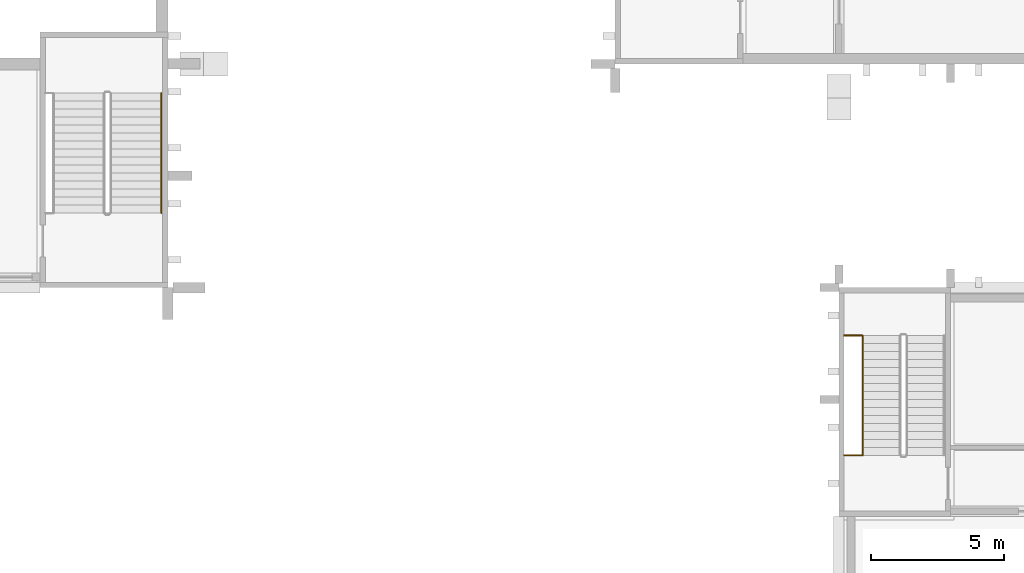
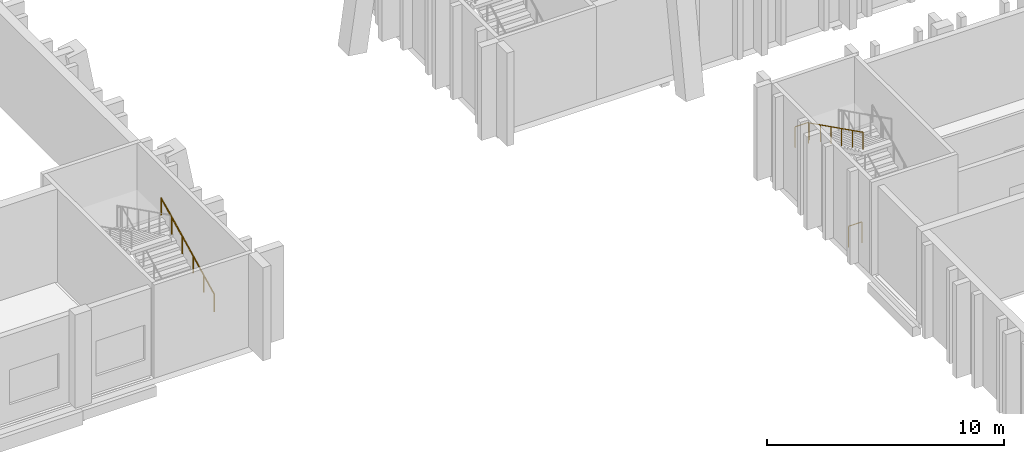
# One storey, part 78 of 91: 4 railings.
"""IFC4 building model written with IfcOpenShell, lengths in metres."""

import ifcopenshell
import ifcopenshell.guid

model = None  # the IFC model being written
_history = None  # IfcOwnerHistory: only IFC2X3 demands one
_inside = {}  # id of a spatial element -> (the spatial element, [elements in it])
_under = {}  # id of a project, library or spatial element -> (it, [spatial elements below it])
_declared = {}  # id of a project -> (the project, [libraries it declares])
_typed = {}  # id of a type object -> (the type object, [elements of that type])
_made_of = {}  # id of a material, layer set ... -> (it, [elements and type objects made of it])


def new_model(schema):
    """Start an empty IFC model of exactly this schema.

    Asked for "IFC4X3", IfcOpenShell would pick the latest addendum, in which some entities
    have other attributes; the version numbers below select the first issue.
    IFC2X3 requires an IfcOwnerHistory on every rooted entity: one is made here for all.
    """
    global model, _history
    if schema == "IFC4X3":
        model = ifcopenshell.file(schema_version=(4, 3, 0, 0))
    else:
        model = ifcopenshell.file(schema=schema)
    _inside.clear()
    _under.clear()
    _declared.clear()
    _typed.clear()
    _made_of.clear()
    _history = None
    if model.schema == "IFC2X3":
        org = make("IfcOrganization", Name="unknown")
        user = make(
            "IfcPersonAndOrganization",
            ThePerson=make("IfcPerson", FamilyName="unknown"),
            TheOrganization=org,
        )
        app = make(
            "IfcApplication",
            ApplicationDeveloper=org,
            Version="unknown",
            ApplicationFullName="unknown",
            ApplicationIdentifier="unknown",
        )
        _history = make(
            "IfcOwnerHistory",
            OwningUser=user,
            OwningApplication=app,
            ChangeAction="ADDED",
            CreationDate=0,
        )
    return model


def make(cls, **values):
    """One entity of the class cls with the attributes given. An attribute that is None is left unset."""
    return model.create_entity(
        cls, **{name: value for name, value in values.items() if value is not None}
    )


def rooted(cls, **values):
    """An entity with a GlobalId (a new one), such as an element, a storey or a relation."""
    return make(cls, GlobalId=ifcopenshell.guid.new(), OwnerHistory=_history, **values)


def si_unit(unit_type, name, prefix=None):
    """IfcSIUnit, for example si_unit("LENGTHUNIT", "METRE", prefix="MILLI")."""
    return make("IfcSIUnit", UnitType=unit_type, Prefix=prefix, Name=name)


def assignment(units):
    """IfcUnitAssignment: the units of a project."""
    return None if units is None else make("IfcUnitAssignment", Units=units)


def point(xyz):
    """IfcCartesianPoint."""
    return None if xyz is None else make("IfcCartesianPoint", Coordinates=xyz)


def direction(xyz):
    """IfcDirection."""
    return None if xyz is None else make("IfcDirection", DirectionRatios=xyz)


def frame(location, z_axis=None, x_axis=None):
    """IfcAxis2Placement3D, a coordinate frame: its origin and axes. An axis left out is left unset."""
    return make(
        "IfcAxis2Placement3D",
        Location=point(location),
        Axis=direction(z_axis),
        RefDirection=direction(x_axis),
    )


def frame_2d(location, x_axis=None):
    """IfcAxis2Placement2D, a coordinate frame in the plane: its origin and x axis."""
    return make(
        "IfcAxis2Placement2D", Location=point(location), RefDirection=direction(x_axis)
    )


def origin():
    """The frame at (0, 0, 0) with its axes left unset."""
    return frame((0.0, 0.0, 0.0))


def origin_2d():
    """The frame at (0, 0) in the plane with its x axis left unset."""
    return frame_2d((0.0, 0.0))


def place(relative_to, where):
    """IfcLocalPlacement: puts the frame where relative to a parent placement (None: the world)."""
    return make(
        "IfcLocalPlacement", PlacementRelTo=relative_to, RelativePlacement=where
    )


def context(
    kind, dimensions, precision=None, world=None, true_north=None, identifier=None
):
    """IfcGeometricRepresentationContext, for example the 3D "Model" context."""
    return make(
        "IfcGeometricRepresentationContext",
        ContextIdentifier=identifier,
        ContextType=kind,
        CoordinateSpaceDimension=dimensions,
        Precision=precision,
        WorldCoordinateSystem=world,
        TrueNorth=true_north,
    )


def subcontext(parent, identifier, kind, view, scale=None):
    """IfcGeometricRepresentationSubContext, for example "Body" below "Model"."""
    return make(
        "IfcGeometricRepresentationSubContext",
        ContextIdentifier=identifier,
        ContextType=kind,
        ParentContext=parent,
        TargetScale=scale,
        TargetView=view,
    )


def project(units=None, contexts=None):
    """IfcProject with its units and contexts."""
    return rooted(
        "IfcProject",
        Name="project",
        RepresentationContexts=contexts,
        UnitsInContext=assignment(units),
    )


def spatial(cls, under=None, at=None, **own):
    """A site, building, storey or space (cls), placed at a placement, below another one or the project."""
    s = rooted(cls, ObjectPlacement=at, **own)
    if under is not None:
        _under.setdefault(under.id(), (under, []))[1].append(s)
    return s


def profile(cls, at=None, kind="AREA", **sizes):
    """A parametric profile (cls). Its sizes go by their IFC names, for example OverallWidth=200.0."""
    return make(cls, ProfileType=kind, Position=at, **sizes)


def circle(**sizes):
    """IfcCircleProfileDef."""
    return profile("IfcCircleProfileDef", **sizes)


def extrude(swept, where, along, depth):
    """IfcExtrudedAreaSolid: the profile swept, set in the frame where, extruded along a direction by depth."""
    return make(
        "IfcExtrudedAreaSolid",
        SweptArea=swept,
        Position=where,
        ExtrudedDirection=direction(along),
        Depth=depth,
    )


def shape(context_of_items, identifier, shape_type, items):
    """IfcShapeRepresentation: the items that make up one representation, for example the "Body"."""
    return make(
        "IfcShapeRepresentation",
        ContextOfItems=context_of_items,
        RepresentationIdentifier=identifier,
        RepresentationType=shape_type,
        Items=items,
    )


def material(Name=None, Category=None):
    """IfcMaterial."""
    return make("IfcMaterial", Name=Name, Category=Category)


def made_of(thing, what):
    """Note that an element or type object is made of a material, layer set ...; save() writes the relation."""
    if what is not None:
        _made_of.setdefault(what.id(), (what, []))[1].append(thing)
    return thing


def type_object(cls, material=None, **own):
    """A type object (cls), such as IfcWallType, which elements share."""
    return made_of(rooted(cls, **own), material)


def element(
    cls,
    number,
    at=None,
    inside=None,
    cuts=None,
    type_object=None,
    material=None,
    context=None,
    identifier="Body",
    shape_type=None,
    held_by="IfcProductDefinitionShape",
    body=None,
    shapes=None,
    **own,
):
    """One element of the class cls, such as IfcWall. Its Tag is "e" and its number.

    at: its placement. inside: the storey or other place that contains it. cuts: it is an
    opening in that element (IfcRelVoidsElement). A single representation is given by context,
    identifier, shape_type and body (its items); several are given by shapes. held_by: the class
    of the entity that holds the representations. save() writes the other relations.
    """
    e = rooted(cls, Tag="e%d" % number, ObjectPlacement=at, **own)
    if body is not None:
        shapes = [shape(context, identifier, shape_type, body)]
    if shapes is not None:
        e.Representation = make(held_by, Representations=shapes)
    if inside is not None:
        _inside.setdefault(inside.id(), (inside, []))[1].append(e)
    if cuts is not None:
        rooted(
            "IfcRelVoidsElement", RelatingBuildingElement=cuts, RelatedOpeningElement=e
        )
    if type_object is not None:
        _typed.setdefault(type_object.id(), (type_object, []))[1].append(e)
    return made_of(e, material)


def aggregate(whole, parts):
    """IfcRelAggregates: a whole, such as a stair, and the parts it consists of."""
    return rooted("IfcRelAggregates", RelatingObject=whole, RelatedObjects=parts)


def save(model, path):
    """Write the relations noted so far, then the file.

    IfcRelAggregates (storeys below a building ...), IfcRelContainedInSpatialStructure (elements
    in a storey), IfcRelDefinesByType, IfcRelAssociatesMaterial and IfcRelDeclares: one each for
    every whole, place, type object, material and project.
    """
    for whole, parts in _under.values():
        aggregate(whole, parts)
    for where, things in _inside.values():
        rooted(
            "IfcRelContainedInSpatialStructure",
            RelatedElements=things,
            RelatingStructure=where,
        )
    for kind, things in _typed.values():
        rooted("IfcRelDefinesByType", RelatedObjects=things, RelatingType=kind)
    for what, things in _made_of.values():
        rooted("IfcRelAssociatesMaterial", RelatedObjects=things, RelatingMaterial=what)
    for by, libraries in _declared.values():
        rooted("IfcRelDeclares", RelatingContext=by, RelatedDefinitions=libraries)
    model.write(path)


model = new_model("IFC4")

# Units and contexts
model_context = context("Model", 3, precision=1e-05, world=origin(), true_north=direction((0.0, 1.0)))
body_context = subcontext(model_context, "Body", "Model", "MODEL_VIEW")
ifc_project = project(units=[si_unit("LENGTHUNIT", "METRE"), si_unit("AREAUNIT", "SQUARE_METRE"), si_unit("VOLUMEUNIT", "CUBIC_METRE"), si_unit("PLANEANGLEUNIT", "RADIAN"), si_unit("MASSUNIT", "GRAM", prefix="KILO")], contexts=[model_context])

# Site, building, storey
site_placement = place(None, origin())
site = spatial("IfcSite", under=ifc_project, at=site_placement, CompositionType="ELEMENT")
building_placement = place(site_placement, origin())
building = spatial("IfcBuilding", under=site, at=building_placement, Name="Kiln Court Media Centre", CompositionType="ELEMENT")
storey_placement = place(building_placement, frame((0.0, 0.0, 5.39990234375)))
storey = spatial("IfcBuildingStorey", under=building, at=storey_placement, Name="L01", CompositionType="ELEMENT", Elevation=5.39990234375)

# Railings
ifc_material_1 = material(Name="Steel S275", Category="steel")
railing_type_1 = type_object("IfcRailingType", Name="Steel S275 stair guard 1100", PredefinedType="GUARDRAIL", material=ifc_material_1)
for number, where, name in (
    (1, (126.85009765625, 23.39990234375, 2.400146484375), "ST-16 landing edge guard"),
    (2, (126.85009765625, 18.89990234375, 0.0), "ST-16 landing edge guard"),
):
    element("IfcRailing", number, at=place(storey_placement, frame(where)), inside=storey, type_object=railing_type_1, Name=name, PredefinedType="GUARDRAIL", context=body_context, shape_type="SweptSolid", body=[
        extrude(circle(Radius=0.02392578125, at=origin_2d()), frame((0.0, 0.0, 1.076171875), z_axis=(-1.0, 0.0, 0.0), x_axis=(0.0, -1.0, 0.0)), (0.0, 0.0, 1.0), 0.650146484375),
        extrude(circle(Radius=0.02099609375, at=origin_2d()), origin(), (0.0, 0.0, 1.0), 1.052001953125),
        extrude(circle(Radius=0.02099609375, at=origin_2d()), frame((-0.650146484375, 0.0, 0.0)), (0.0, 0.0, 1.0), 1.052001953125),
    ])
ifc_material_2 = material(Name="Steel S275", Category="steel")
railing_type_2 = type_object("IfcRailingType", Name="Steel S275 stair handrail 900", PredefinedType="HANDRAIL", material=ifc_material_2)
railing_1_placement = place(storey_placement, frame((100.550048828125, 28.0, 0.150146484375)))
element("IfcRailing", 3, at=railing_1_placement, inside=storey, type_object=railing_type_2, Name="ST-10 stair handrail", PredefinedType="HANDRAIL", context=body_context, shape_type="SweptSolid", body=[
    extrude(circle(Radius=0.02392578125, at=origin_2d()), frame((0.0, 0.0, 0.8759765625), z_axis=(0.0, 0.894427191, 0.4472135955), x_axis=(-1.0, 0.0, 0.0)), (0.0, 0.0, 1.0), 5.03125),
    extrude(circle(Radius=0.02099609375, at=origin_2d()), origin(), (0.0, 0.0, 1.0), 0.851806640625),
    extrude(circle(Radius=0.02099609375, at=origin_2d()), frame((0.0, 0.89990234375, 0.449951171875)), (0.0, 0.0, 1.0), 0.851806640625),
    extrude(circle(Radius=0.02099609375, at=origin_2d()), frame((0.0, 1.800048828125, 0.89990234375)), (0.0, 0.0, 1.0), 0.851806640625),
    extrude(circle(Radius=0.02099609375, at=origin_2d()), frame((0.0, 2.699951171875, 1.35009765625)), (0.0, 0.0, 1.0), 0.851806640625),
    extrude(circle(Radius=0.02099609375, at=origin_2d()), frame((0.0, 3.60009765625, 1.800048828125)), (0.0, 0.0, 1.0), 0.851806640625),
    extrude(circle(Radius=0.02099609375, at=origin_2d()), frame((0.0, 4.5, 2.25)), (0.0, 0.0, 1.0), 0.851806640625),
])
railing_2_placement = place(storey_placement, frame((126.89990234375, 23.39990234375, 2.550048828125)))
element("IfcRailing", 4, at=railing_2_placement, inside=storey, type_object=railing_type_2, Name="ST-16 stair handrail", PredefinedType="HANDRAIL", context=body_context, shape_type="SweptSolid", body=[
    extrude(circle(Radius=0.02392578125, at=origin_2d()), frame((0.0, 0.0, 0.8759765625), z_axis=(0.0, -0.894427191, 0.4472135955), x_axis=(1.0, 0.0, 0.0)), (0.0, 0.0, 1.0), 5.03125),
    extrude(circle(Radius=0.02099609375, at=origin_2d()), origin(), (0.0, 0.0, 1.0), 0.851806640625),
    extrude(circle(Radius=0.02099609375, at=origin_2d()), frame((0.0, -0.89990234375, 0.449951171875)), (0.0, 0.0, 1.0), 0.851806640625),
    extrude(circle(Radius=0.02099609375, at=origin_2d()), frame((0.0, -1.800048828125, 0.89990234375)), (0.0, 0.0, 1.0), 0.851806640625),
    extrude(circle(Radius=0.02099609375, at=origin_2d()), frame((0.0, -2.699951171875, 1.35009765625)), (0.0, 0.0, 1.0), 0.851806640625),
    extrude(circle(Radius=0.02099609375, at=origin_2d()), frame((0.0, -3.60009765625, 1.800048828125)), (0.0, 0.0, 1.0), 0.851806640625),
    extrude(circle(Radius=0.02099609375, at=origin_2d()), frame((0.0, -4.5, 2.25)), (0.0, 0.0, 1.0), 0.851806640625),
])

save(model, "model.ifc")
